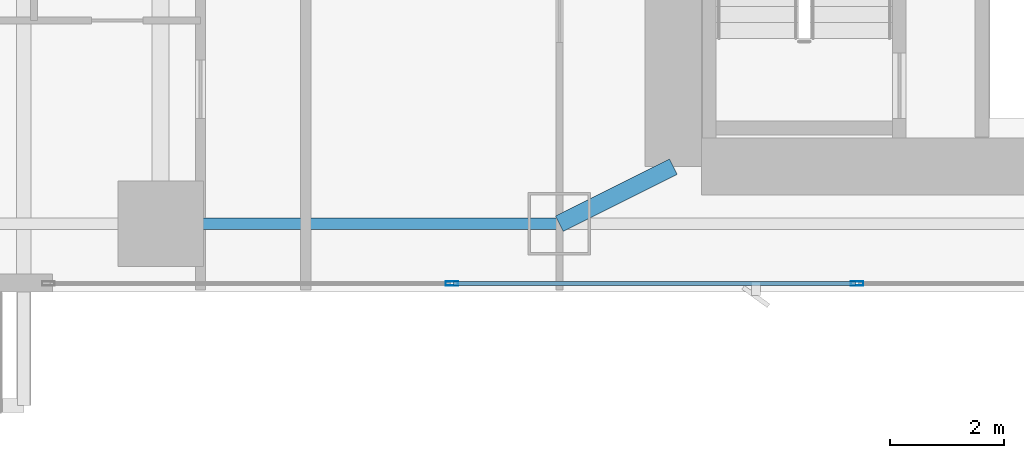
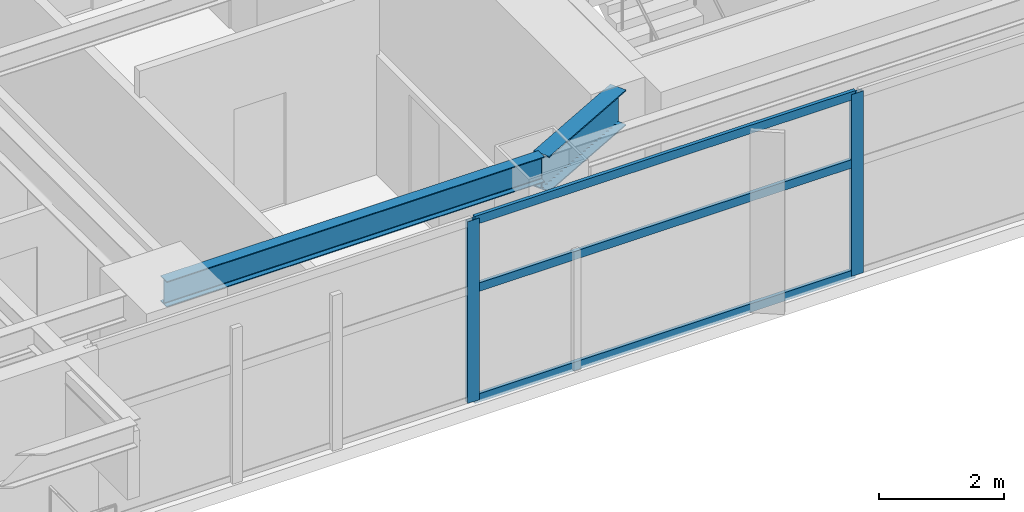
# One storey, part 6 of 30: 5 members, 2 beams, 1 element without a shape of its own.
"""IFC4 building model written with IfcOpenShell, lengths in metres."""

from ifc_helpers import new_model, si_unit, direction, frame, origin, origin_2d, place, context, subcontext, project, spatial, hollow_rectangle, i_section, extrude, material, layer, layer_set, material_profile, profile_set, type_object, element, aggregate, save


model = new_model("IFC4")

# Units and contexts
model_context = context("Model", 3, precision=1e-05, world=origin(), true_north=direction((0.0, 1.0)))
body_context = subcontext(model_context, "Body", "Model", "MODEL_VIEW")
ifc_project = project(units=[si_unit("LENGTHUNIT", "METRE"), si_unit("AREAUNIT", "SQUARE_METRE"), si_unit("VOLUMEUNIT", "CUBIC_METRE"), si_unit("PLANEANGLEUNIT", "RADIAN"), si_unit("MASSUNIT", "GRAM", prefix="KILO")], contexts=[model_context])

# Site, building, storey
site_placement = place(None, origin())
site = spatial("IfcSite", under=ifc_project, at=site_placement, CompositionType="ELEMENT")
building_placement = place(site_placement, origin())
building = spatial("IfcBuilding", under=site, at=building_placement, Name="Calvorn Quay Hotel", CompositionType="ELEMENT")
storey_placement = place(building_placement, frame((0.0, 0.0, 30.800048828125)))
storey = spatial("IfcBuildingStorey", under=building, at=storey_placement, Name="L06", CompositionType="ELEMENT", Elevation=30.800048828125)

# Beams
ifc_material_1 = material(Name="Steel Q390GJC", Category="steel")
ifc_material_profile_1 = material_profile(ifc_material_1, i_section(OverallWidth=0.300048828125, OverallDepth=0.699951171875, WebThickness=0.012939453125, FlangeThickness=0.02392578125, FilletRadius=0.02392578125, at=origin_2d()), Name="HN700x300x13x24")
ifc_profile_set_1 = profile_set([ifc_material_profile_1], Name="Steel Q390GJC")
beam_type_1 = type_object("IfcBeamType", Name="BM-GIRD-MAIN", PredefinedType="BEAM", material=ifc_profile_set_1)
beam_1_placement = place(storey_placement, frame((19.60009765625, 3.60009765625, 3.18994140625), z_axis=(0.894427191, 0.4472135955, 0.0), x_axis=(-0.4472135955, 0.894427191, 0.0)))
element("IfcBeam", 1, at=beam_1_placement, inside=storey, type_object=beam_type_1, Name="Beam BG-L06-S2", PredefinedType="BEAM", context=body_context, shape_type="SweptSolid", body=[
    extrude(i_section(OverallWidth=0.300048828125, OverallDepth=0.699951171875, WebThickness=0.012939453125, FlangeThickness=0.02392578125, FilletRadius=0.02392578125, at=origin_2d()), origin(), (0.0, 0.0, 1.0), 2.236083984375),
])
ifc_material_2 = material(Name="Steel Q355B", Category="steel")
ifc_material_profile_2 = material_profile(ifc_material_2, i_section(OverallWidth=0.199951171875, OverallDepth=0.5, WebThickness=0.010009765625, FlangeThickness=0.01611328125, FilletRadius=0.01611328125, at=origin_2d()), Name="HN500x200x10x16")
ifc_profile_set_2 = profile_set([ifc_material_profile_2], Name="Steel Q355B")
beam_type_2 = type_object("IfcBeamType", Name="BM-SPANDREL-Z1", PredefinedType="SPANDREL", material=ifc_profile_set_2)
beam_2_placement = place(storey_placement, frame((12.60009765625, 3.60009765625, 3.2900390625), z_axis=(1.0, 0.0, 0.0), x_axis=(0.0, 1.0, 0.0)))
element("IfcBeam", 2, at=beam_2_placement, inside=storey, type_object=beam_type_2, Name="Beam BSP-L06-S2", PredefinedType="SPANDREL", context=body_context, shape_type="SweptSolid", body=[
    extrude(i_section(OverallWidth=0.199951171875, OverallDepth=0.5, WebThickness=0.010009765625, FlangeThickness=0.01611328125, FilletRadius=0.01611328125, at=origin_2d()), origin(), (0.0, 0.0, 1.0), 7.0),
])

# Curtain wall, members
ifc_material_3 = material(Name="Pale Anodised Aluminium and Low-E Glass", Category="aluminium")
ifc_layer = layer(ifc_material_3, 0.219970703125)
ifc_layer_set = layer_set([ifc_layer], Name="CW-SYS-Z1")
curtain_wall_type = type_object("IfcCurtainWallType", Name="CW-SYS-Z1", PredefinedType="NOTDEFINED", material=ifc_layer_set)
curtain_wall_placement = place(storey_placement, origin())
curtain_wall = element("IfcCurtainWall", 3, at=curtain_wall_placement, inside=storey, type_object=curtain_wall_type, Name="Tower South Waterfront Curtain Wall (L06)", PredefinedType="NOTDEFINED")
ifc_material_4 = material(Name="Pale Anodised Aluminium 6063-T6", Category="aluminium")
ifc_material_profile_3 = material_profile(ifc_material_4, hollow_rectangle(XDim=0.074951171875, YDim=0.219970703125, WallThickness=0.00439453125, at=origin_2d()), Name="ALU-M220x75x4.5")
ifc_profile_set_3 = profile_set([ifc_material_profile_3], Name="Pale Anodised Aluminium 6063-T6")
member_type_1 = type_object("IfcMemberType", Name="CW-SYS-Z1-MUL", PredefinedType="MULLION", material=ifc_profile_set_3)
member_1_placement = place(storey_placement, frame((17.71435546875, 2.550048828125, 0.0), z_axis=(0.0, 0.0, 1.0), x_axis=(0.0, 1.0, 0.0)))
member_1 = element("IfcMember", 4, at=member_1_placement, type_object=member_type_1, Name="CW-L06-S mullion 2", PredefinedType="MULLION", context=body_context, shape_type="SweptSolid", body=[
    extrude(hollow_rectangle(XDim=0.074951171875, YDim=0.219970703125, WallThickness=0.00439453125, at=origin_2d()), origin(), (0.0, 0.0, 1.0), 3.56005859375),
])
member_2_placement = place(storey_placement, frame((24.82861328125, 2.550048828125, 0.0), z_axis=(0.0, 0.0, 1.0), x_axis=(0.0, 1.0, 0.0)))
member_2 = element("IfcMember", 5, at=member_2_placement, type_object=member_type_1, Name="CW-L06-S mullion 3", PredefinedType="MULLION", context=body_context, shape_type="SweptSolid", body=[
    extrude(hollow_rectangle(XDim=0.074951171875, YDim=0.219970703125, WallThickness=0.00439453125, at=origin_2d()), origin(), (0.0, 0.0, 1.0), 3.56005859375),
])
ifc_material_5 = material(Name="Pale Anodised Aluminium 6063-T6", Category="aluminium")
ifc_material_profile_4 = material_profile(ifc_material_5, hollow_rectangle(XDim=0.06494140625, YDim=0.1650390625, WallThickness=0.00341796875, at=origin_2d()), Name="ALU-T165x65x3.5")
ifc_profile_set_4 = profile_set([ifc_material_profile_4], Name="Pale Anodised Aluminium 6063-T6")
member_type_2 = type_object("IfcMemberType", Name="CW-SYS-Z1-TRN", PredefinedType="USERDEFINED", material=ifc_profile_set_4)
member_3_placement = place(storey_placement, frame((17.744384765625, 2.550048828125, 0.030029296875), z_axis=(1.0, 0.0, 0.0), x_axis=(0.0, 1.0, 0.0)))
member_3 = element("IfcMember", 6, at=member_3_placement, type_object=member_type_2, Name="CW-L06-S transom 2.1", ObjectType="TRANSOM", PredefinedType="USERDEFINED", context=body_context, shape_type="SweptSolid", body=[
    extrude(hollow_rectangle(XDim=0.06494140625, YDim=0.1650390625, WallThickness=0.00341796875, at=origin_2d()), origin(), (0.0, 0.0, 1.0), 7.05419921875),
])
member_4_placement = place(storey_placement, frame((17.744384765625, 2.550048828125, 2.199951171875), z_axis=(1.0, 0.0, 0.0), x_axis=(0.0, 1.0, 0.0)))
member_4 = element("IfcMember", 7, at=member_4_placement, type_object=member_type_2, Name="CW-L06-S transom 2.2", ObjectType="TRANSOM", PredefinedType="USERDEFINED", context=body_context, shape_type="SweptSolid", body=[
    extrude(hollow_rectangle(XDim=0.06494140625, YDim=0.1650390625, WallThickness=0.00341796875, at=origin_2d()), origin(), (0.0, 0.0, 1.0), 7.05419921875),
])
member_5_placement = place(storey_placement, frame((17.744384765625, 2.550048828125, 3.530029296875), z_axis=(1.0, 0.0, 0.0), x_axis=(0.0, 1.0, 0.0)))
member_5 = element("IfcMember", 8, at=member_5_placement, type_object=member_type_2, Name="CW-L06-S transom 2.3", ObjectType="TRANSOM", PredefinedType="USERDEFINED", context=body_context, shape_type="SweptSolid", body=[
    extrude(hollow_rectangle(XDim=0.06494140625, YDim=0.1650390625, WallThickness=0.00341796875, at=origin_2d()), origin(), (0.0, 0.0, 1.0), 7.05419921875),
])
aggregate(curtain_wall, [member_1, member_2, member_3, member_4, member_5])

save(model, "model.ifc")
